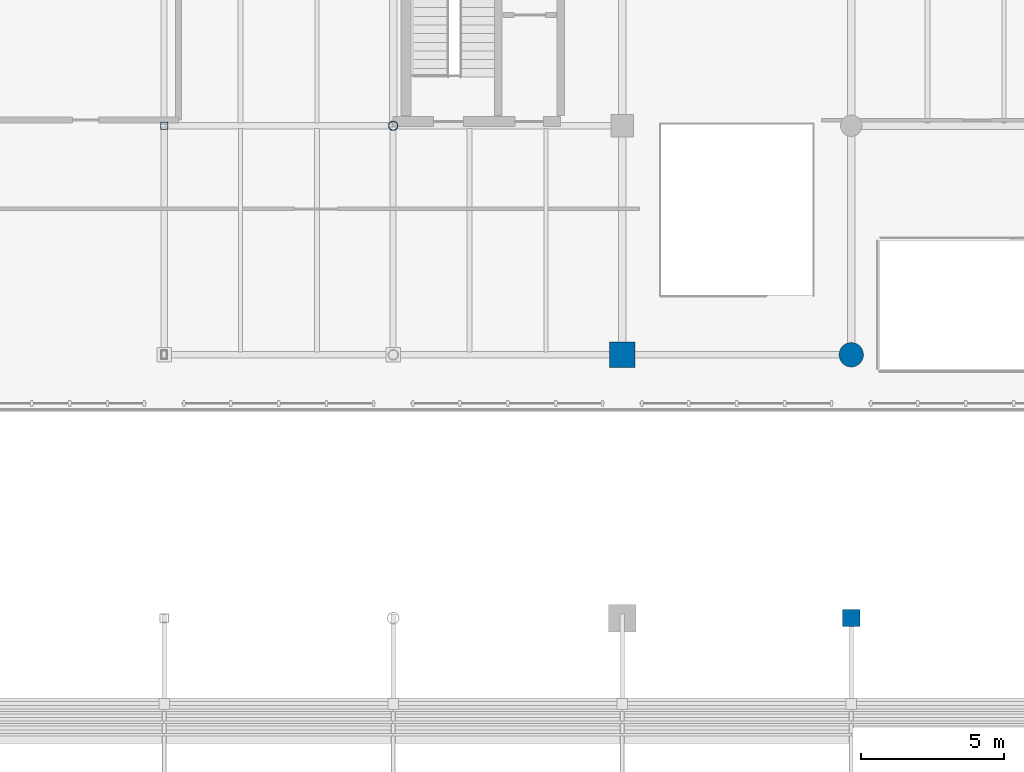
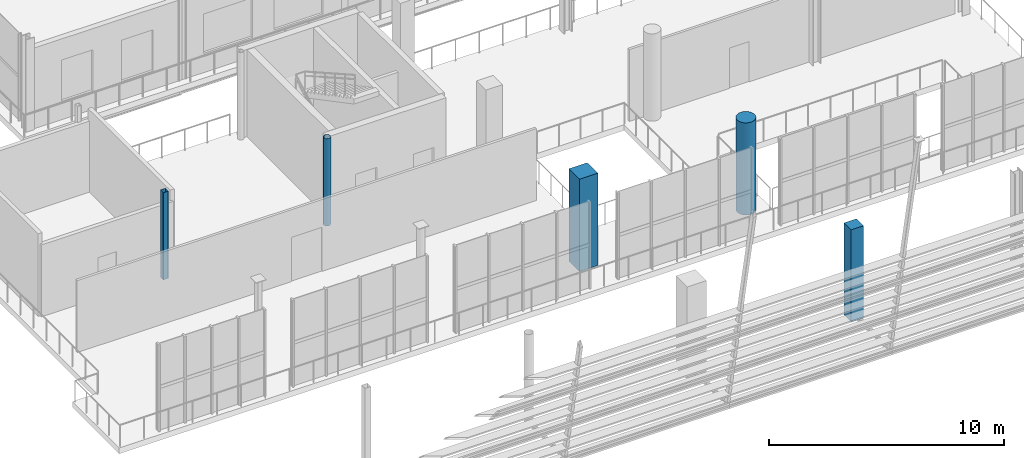
# One storey, part 2 of 93: 5 columns.
"""IFC4 building model written with IfcOpenShell, lengths in metres."""

from ifc_helpers import new_model, si_unit, direction, frame, origin, origin_2d, place, context, subcontext, project, spatial, rectangle, hollow_rectangle, circle, hollow_circle, extrude, material, material_profile, profile_set, type_object, element, save


model = new_model("IFC4")

# Units and contexts
model_context = context("Model", 3, precision=1e-05, world=origin(), true_north=direction((0.0, 1.0)))
body_context = subcontext(model_context, "Body", "Model", "MODEL_VIEW")
ifc_project = project(units=[si_unit("LENGTHUNIT", "METRE"), si_unit("AREAUNIT", "SQUARE_METRE"), si_unit("VOLUMEUNIT", "CUBIC_METRE"), si_unit("PLANEANGLEUNIT", "RADIAN"), si_unit("MASSUNIT", "GRAM", prefix="KILO")], contexts=[model_context])

# Site, building, storey
site_placement = place(None, origin())
site = spatial("IfcSite", under=ifc_project, at=site_placement, CompositionType="ELEMENT")
building_placement = place(site_placement, origin())
building = spatial("IfcBuilding", under=site, at=building_placement, Name="Brisemont Oceanarium", CompositionType="ELEMENT")
storey_placement = place(building_placement, frame((0.0, 0.0, 5.39990234375)))
storey = spatial("IfcBuildingStorey", under=building, at=storey_placement, Name="L01", CompositionType="ELEMENT", Elevation=5.39990234375)

# Columns
ifc_material_1 = material(Name="Structural Steel ASTM A500 Gr.C", Category="steel")
ifc_material_profile_1 = material_profile(ifc_material_1, hollow_circle(Radius=0.162109375, WallThickness=0.01171875, at=origin_2d()), Name="HSS12.750X0.500")
ifc_profile_set_1 = profile_set([ifc_material_profile_1], Name="Structural Steel ASTM A500 Gr.C")
column_type_1 = type_object("IfcColumnType", Name="COL-CHS12", PredefinedType="COLUMN", material=ifc_profile_set_1)
column_1_placement = place(storey_placement, frame((24.0, 24.0, 0.0), z_axis=(0.0, 0.0, 1.0), x_axis=(1.0, 0.0, 0.0)))
element("IfcColumn", 1, at=column_1_placement, inside=storey, type_object=column_type_1, Name="V2 L01 column (2,2)", PredefinedType="COLUMN", context=body_context, shape_type="SweptSolid", body=[
    extrude(hollow_circle(Radius=0.162109375, WallThickness=0.01171875, at=origin_2d()), origin(), (0.0, 0.0, 1.0), 4.5400390625),
])
ifc_material_2 = material(Name="Structural Steel ASTM A500 Gr.C", Category="steel")
ifc_material_profile_2 = material_profile(ifc_material_2, hollow_rectangle(XDim=0.25390625, YDim=0.25390625, WallThickness=0.01171875, InnerFilletRadius=0.01220703125, OuterFilletRadius=0.02392578125, at=origin_2d()), Name="HSS10X10X1/2")
ifc_profile_set_2 = profile_set([ifc_material_profile_2], Name="Structural Steel ASTM A500 Gr.C")
column_type_2 = type_object("IfcColumnType", Name="COL-HSS10X10", PredefinedType="COLUMN", material=ifc_profile_set_2)
column_2_placement = place(storey_placement, frame((16.0, 24.0, 0.0), z_axis=(0.0, 0.0, 1.0), x_axis=(0.0, 1.0, 0.0)))
element("IfcColumn", 2, at=column_2_placement, inside=storey, type_object=column_type_2, Name="V2 L01 column (1,2)", PredefinedType="COLUMN", context=body_context, shape_type="SweptSolid", body=[
    extrude(hollow_rectangle(XDim=0.25390625, YDim=0.25390625, WallThickness=0.01171875, InnerFilletRadius=0.01220703125, OuterFilletRadius=0.02392578125, at=origin_2d()), origin(), (0.0, 0.0, 1.0), 4.5400390625),
])
ifc_material_3 = material(Name="Concrete C35/45", Category="concrete")
ifc_material_profile_3 = material_profile(ifc_material_3, rectangle(XDim=0.60009765625, YDim=0.60009765625, at=origin_2d()), Name="RC-COL-600X600")
ifc_profile_set_3 = profile_set([ifc_material_profile_3], Name="Concrete C35/45")
column_type_3 = type_object("IfcColumnType", Name="COL-RC600", PredefinedType="COLUMN", material=ifc_profile_set_3)
column_3_placement = place(storey_placement, frame((40.0, 6.800048828125, 0.0), z_axis=(0.0, 0.0, 1.0), x_axis=(1.0, 0.0, 0.0)))
element("IfcColumn", 3, at=column_3_placement, inside=storey, type_object=column_type_3, Name="V2 L01 column (4,0)", PredefinedType="COLUMN", context=body_context, shape_type="SweptSolid", body=[
    extrude(rectangle(XDim=0.60009765625, YDim=0.60009765625, at=origin_2d()), origin(), (0.0, 0.0, 1.0), 4.800048828125),
])
ifc_material_4 = material(Name="Concrete C40/50", Category="concrete")
ifc_material_profile_4 = material_profile(ifc_material_4, rectangle(XDim=0.89990234375, YDim=0.89990234375, at=origin_2d()), Name="RC-COL-900X900")
ifc_profile_set_4 = profile_set([ifc_material_profile_4], Name="Concrete C40/50")
column_type_4 = type_object("IfcColumnType", Name="COL-RC900", PredefinedType="COLUMN", material=ifc_profile_set_4)
column_4_placement = place(storey_placement, frame((32.0, 16.0, 0.0), z_axis=(0.0, 0.0, 1.0), x_axis=(1.0, 0.0, 0.0)))
element("IfcColumn", 4, at=column_4_placement, inside=storey, type_object=column_type_4, Name="V2 L01 column (3,1)", PredefinedType="COLUMN", context=body_context, shape_type="SweptSolid", body=[
    extrude(rectangle(XDim=0.89990234375, YDim=0.89990234375, at=origin_2d()), origin(), (0.0, 0.0, 1.0), 4.800048828125),
])
ifc_material_5 = material(Name="Concrete C40/50", Category="concrete")
ifc_material_profile_5 = material_profile(ifc_material_5, circle(Radius=0.425048828125, at=origin_2d()), Name="RC-COL-D850")
ifc_profile_set_5 = profile_set([ifc_material_profile_5], Name="Concrete C40/50")
column_type_5 = type_object("IfcColumnType", Name="COL-RCD850", PredefinedType="COLUMN", material=ifc_profile_set_5)
column_5_placement = place(storey_placement, frame((40.0, 16.0, 0.0), z_axis=(0.0, 0.0, 1.0), x_axis=(0.0, 1.0, 0.0)))
element("IfcColumn", 5, at=column_5_placement, inside=storey, type_object=column_type_5, Name="V2 L01 column (4,1)", PredefinedType="COLUMN", context=body_context, shape_type="SweptSolid", body=[
    extrude(circle(Radius=0.425048828125, at=origin_2d()), origin(), (0.0, 0.0, 1.0), 4.800048828125),
])

save(model, "model.ifc")
